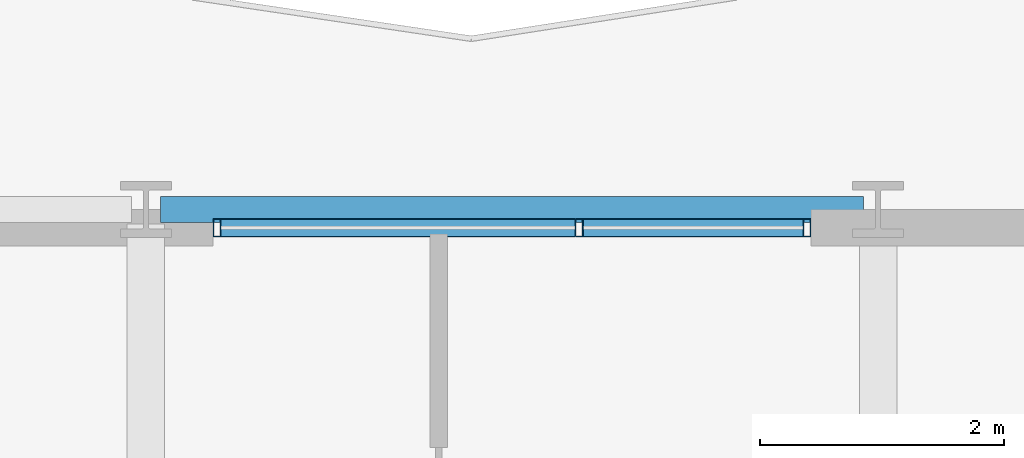
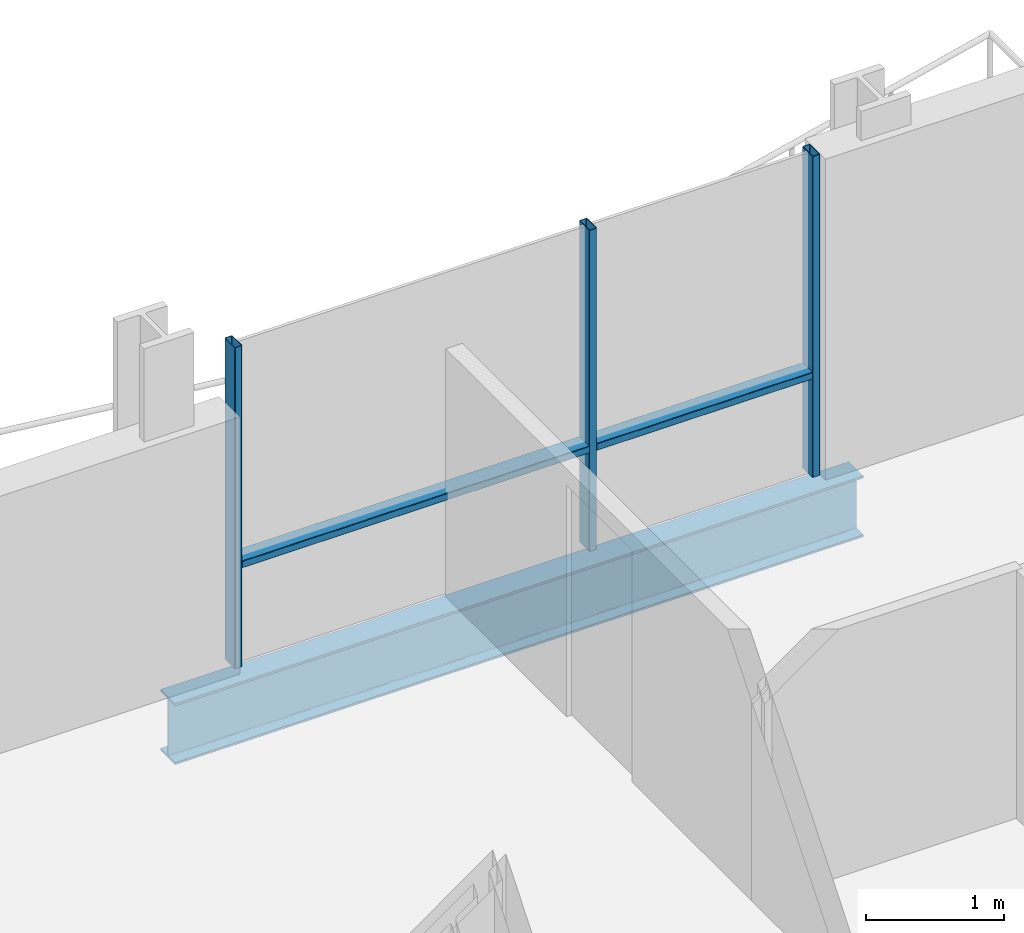
# One storey, part 24 of 41: 5 members, 1 beam, 1 element without a shape of its own.
"""IFC4 building model written with IfcOpenShell, lengths in metres."""

from ifc_helpers import new_model, si_unit, direction, frame, origin, origin_2d, place, context, subcontext, project, spatial, hollow_rectangle, i_section, extrude, material, layer, layer_set, material_profile, profile_set, type_object, element, aggregate, save


model = new_model("IFC4")

# Units and contexts
model_context = context("Model", 3, precision=1e-05, world=origin(), true_north=direction((0.0, 1.0)))
body_context = subcontext(model_context, "Body", "Model", "MODEL_VIEW")
ifc_project = project(units=[si_unit("LENGTHUNIT", "METRE"), si_unit("AREAUNIT", "SQUARE_METRE"), si_unit("VOLUMEUNIT", "CUBIC_METRE"), si_unit("PLANEANGLEUNIT", "RADIAN"), si_unit("MASSUNIT", "GRAM", prefix="KILO")], contexts=[model_context])

# Site, building, storey
site_placement = place(None, origin())
site = spatial("IfcSite", under=ifc_project, at=site_placement, CompositionType="ELEMENT")
building_placement = place(site_placement, origin())
building = spatial("IfcBuilding", under=site, at=building_placement, Name="Brevholm Reach", CompositionType="ELEMENT")
storey_placement = place(building_placement, frame((0.0, 0.0, 93.10009765625)))
storey = spatial("IfcBuildingStorey", under=building, at=storey_placement, Name="L27", CompositionType="ELEMENT", Elevation=93.10009765625)

# Beam
ifc_material_1 = material(Name="Structural Steel S355J2", Category="steel")
ifc_material_profile_1 = material_profile(ifc_material_1, i_section(OverallWidth=0.210693359375, OverallDepth=0.53955078125, WebThickness=0.01171875, FlangeThickness=0.018798828125, FilletRadius=0.0126953125, at=origin_2d()), Name="UKB 533x210x109")
ifc_profile_set_1 = profile_set([ifc_material_profile_1], Name="Structural Steel S355J2")
beam_type = type_object("IfcBeamType", Name="BM-SP539", PredefinedType="SPANDREL", material=ifc_profile_set_1)
beam_placement = place(storey_placement, frame((48.1201171875, 31.0, -0.499755859375), z_axis=(1.0, 0.0, 0.0), x_axis=(0.0, 1.0, 0.0)))
element("IfcBeam", 1, at=beam_placement, inside=storey, type_object=beam_type, Name="L27 SP-01B Framing Beam", PredefinedType="SPANDREL", context=body_context, shape_type="SweptSolid", body=[
    extrude(i_section(OverallWidth=0.210693359375, OverallDepth=0.53955078125, WebThickness=0.01171875, FlangeThickness=0.018798828125, FilletRadius=0.0126953125, at=origin_2d()), origin(), (0.0, 0.0, 1.0), 5.759765625),
])

# Curtain wall, members
ifc_material_2 = material(Name="Dark Anodised Aluminium 6063-T6 and Solar-Control Glass", Category="aluminium")
ifc_layer = layer(ifc_material_2, 0.14990234375)
ifc_layer_set = layer_set([ifc_layer], Name="Dark Anodised Aluminium 6063-T6 and Solar-Control Glass")
curtain_wall_type = type_object("IfcCurtainWallType", Name="CW-01", PredefinedType="NOTDEFINED", material=ifc_layer_set)
curtain_wall_placement = place(storey_placement, origin())
curtain_wall = element("IfcCurtainWall", 2, at=curtain_wall_placement, inside=storey, type_object=curtain_wall_type, Name="L27 Curtain Wall CW-01", PredefinedType="NOTDEFINED")
ifc_material_3 = material(Name="Dark Anodised Aluminium 6063-T6", Category="aluminium")
ifc_material_profile_2 = material_profile(ifc_material_3, hollow_rectangle(XDim=0.06494140625, YDim=0.14990234375, WallThickness=0.0048828125, InnerFilletRadius=0.0048828125, OuterFilletRadius=0.010009765625, at=origin_2d()), Name="RHS 150x65x5")
ifc_profile_set_2 = profile_set([ifc_material_profile_2], Name="Dark Anodised Aluminium 6063-T6")
member_type_1 = type_object("IfcMemberType", Name="CWM-150", PredefinedType="MULLION", material=ifc_profile_set_2)
member_1_placement = place(storey_placement, frame((48.58251953125, 30.85009765625, 0.0), z_axis=(0.0, 0.0, 1.0), x_axis=(1.0, 0.0, 0.0)))
member_1 = element("IfcMember", 3, at=member_1_placement, type_object=member_type_1, Name="CM-150 Mullion 1", PredefinedType="MULLION", context=body_context, shape_type="SweptSolid", body=[
    extrude(hollow_rectangle(XDim=0.06494140625, YDim=0.14990234375, WallThickness=0.0048828125, InnerFilletRadius=0.0048828125, OuterFilletRadius=0.010009765625, at=origin_2d()), origin(), (0.0, 0.0, 1.0), 2.83984375),
])
member_2_placement = place(storey_placement, frame((51.550048828125, 30.85009765625, 0.0), z_axis=(0.0, 0.0, 1.0), x_axis=(1.0, 0.0, 0.0)))
member_2 = element("IfcMember", 4, at=member_2_placement, type_object=member_type_1, Name="CM-150 Mullion 2", PredefinedType="MULLION", context=body_context, shape_type="SweptSolid", body=[
    extrude(hollow_rectangle(XDim=0.06494140625, YDim=0.14990234375, WallThickness=0.0048828125, InnerFilletRadius=0.0048828125, OuterFilletRadius=0.010009765625, at=origin_2d()), origin(), (0.0, 0.0, 1.0), 2.83984375),
])
member_3_placement = place(storey_placement, frame((53.41748046875, 30.85009765625, 0.0), z_axis=(0.0, 0.0, 1.0), x_axis=(1.0, 0.0, 0.0)))
member_3 = element("IfcMember", 5, at=member_3_placement, type_object=member_type_1, Name="CM-150 Mullion 3", PredefinedType="MULLION", context=body_context, shape_type="SweptSolid", body=[
    extrude(hollow_rectangle(XDim=0.06494140625, YDim=0.14990234375, WallThickness=0.0048828125, InnerFilletRadius=0.0048828125, OuterFilletRadius=0.010009765625, at=origin_2d()), origin(), (0.0, 0.0, 1.0), 2.83984375),
])
ifc_material_4 = material(Name="Dark Anodised Aluminium 6063-T6", Category="aluminium")
ifc_material_profile_3 = material_profile(ifc_material_4, hollow_rectangle(XDim=0.06494140625, YDim=0.14990234375, WallThickness=0.0048828125, InnerFilletRadius=0.0048828125, OuterFilletRadius=0.010009765625, at=origin_2d()), Name="RHS 150x65x5")
ifc_profile_set_3 = profile_set([ifc_material_profile_3], Name="Dark Anodised Aluminium 6063-T6")
member_type_2 = type_object("IfcMemberType", Name="CWT-150", PredefinedType="NOTDEFINED", material=ifc_profile_set_3)
member_4_placement = place(storey_placement, frame((48.614990234375, 30.85009765625, 0.89990234375), z_axis=(1.0, 0.0, 0.0), x_axis=(0.0, 0.0, 1.0)))
member_4 = element("IfcMember", 6, at=member_4_placement, type_object=member_type_2, Name="CT-150 Transom 1.1", ObjectType="TRANSOM", PredefinedType="USERDEFINED", context=body_context, shape_type="SweptSolid", body=[
    extrude(hollow_rectangle(XDim=0.06494140625, YDim=0.14990234375, WallThickness=0.0048828125, InnerFilletRadius=0.0048828125, OuterFilletRadius=0.010009765625, at=origin_2d()), origin(), (0.0, 0.0, 1.0), 2.902587890625),
])
member_5_placement = place(storey_placement, frame((51.58251953125, 30.85009765625, 0.89990234375), z_axis=(1.0, 0.0, 0.0), x_axis=(0.0, 0.0, 1.0)))
member_5 = element("IfcMember", 7, at=member_5_placement, type_object=member_type_2, Name="CT-150 Transom 2.1", ObjectType="TRANSOM", PredefinedType="USERDEFINED", context=body_context, shape_type="SweptSolid", body=[
    extrude(hollow_rectangle(XDim=0.06494140625, YDim=0.14990234375, WallThickness=0.0048828125, InnerFilletRadius=0.0048828125, OuterFilletRadius=0.010009765625, at=origin_2d()), origin(), (0.0, 0.0, 1.0), 1.802490234375),
])
aggregate(curtain_wall, [member_1, member_2, member_3, member_4, member_5])

save(model, "model.ifc")
